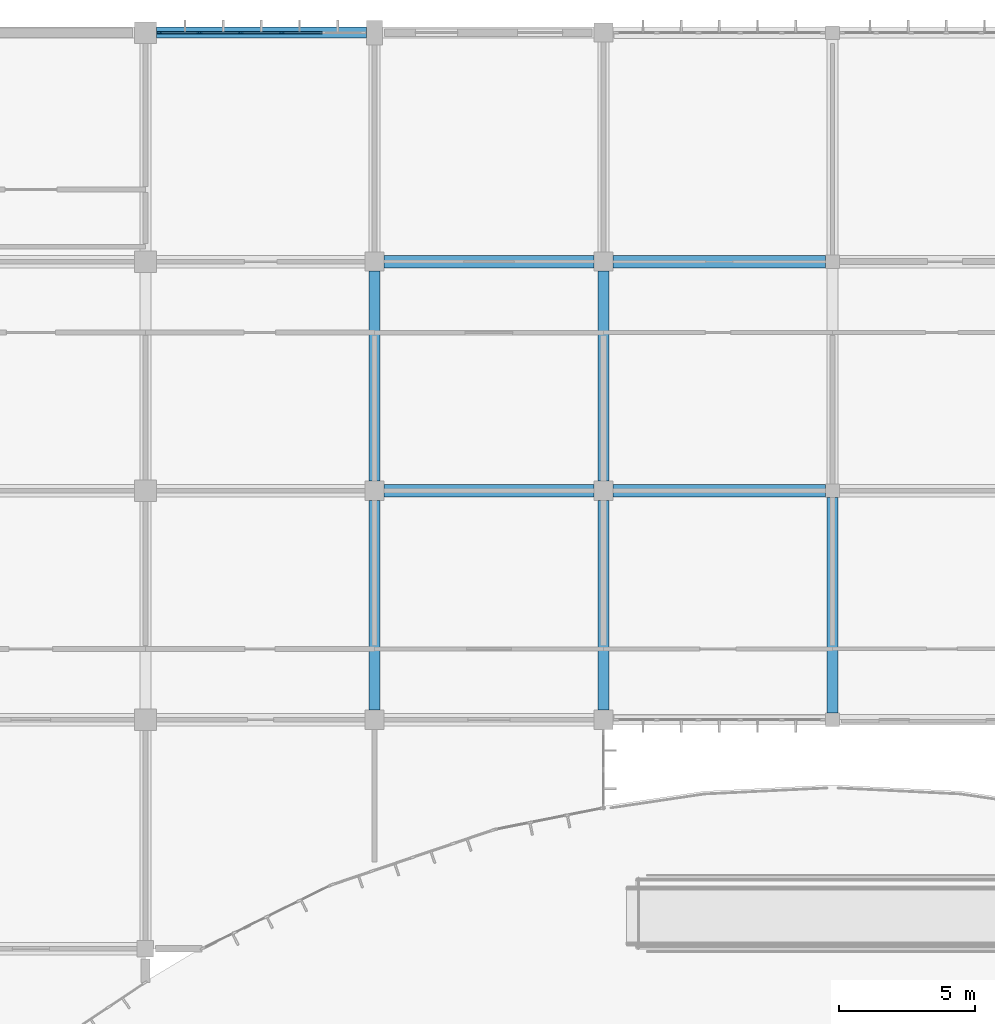
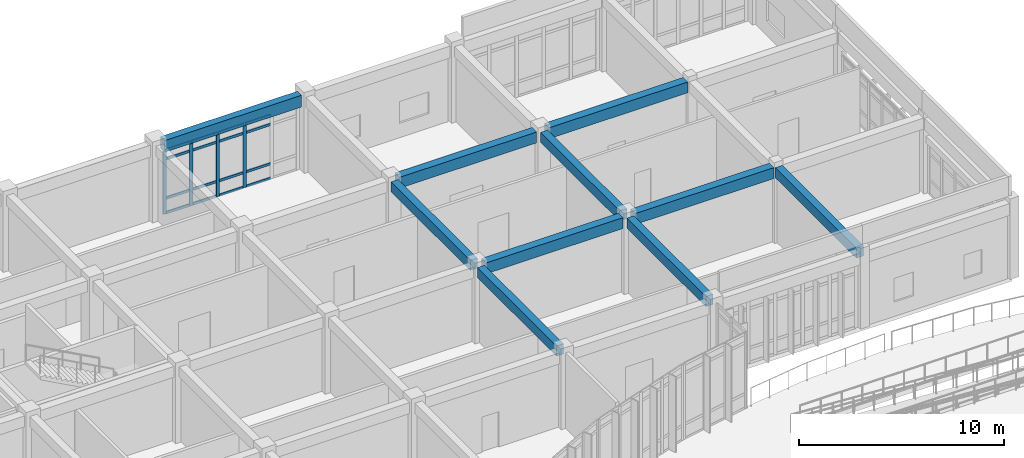
# One storey, part 59 of 138: 20 members, 10 beams, 1 element without a shape of its own.
"""IFC4 building model written with IfcOpenShell, lengths in metres."""

from ifc_helpers import new_model, si_unit, direction, frame, origin, origin_2d, place, context, subcontext, project, spatial, rectangle, extrude, material, layer, layer_set, material_profile, profile_set, type_object, element, aggregate, save


model = new_model("IFC4")

# Units and contexts
model_context = context("Model", 3, precision=1e-05, world=origin(), true_north=direction((0.0, 1.0)))
body_context = subcontext(model_context, "Body", "Model", "MODEL_VIEW")
ifc_project = project(units=[si_unit("LENGTHUNIT", "METRE"), si_unit("AREAUNIT", "SQUARE_METRE"), si_unit("VOLUMEUNIT", "CUBIC_METRE"), si_unit("PLANEANGLEUNIT", "RADIAN"), si_unit("MASSUNIT", "GRAM", prefix="KILO")], contexts=[model_context])

# Site, building, storey
site_placement = place(None, origin())
site = spatial("IfcSite", under=ifc_project, at=site_placement, CompositionType="ELEMENT")
building_placement = place(site_placement, origin())
building = spatial("IfcBuilding", under=site, at=building_placement, Name="Bramfleet General Hospital", CompositionType="ELEMENT")
storey_placement = place(building_placement, origin())
storey = spatial("IfcBuildingStorey", under=building, at=storey_placement, Name="L00", CompositionType="ELEMENT", Elevation=0.0)

# Beams
ifc_material_1 = material(Name="Concrete C35/45", Category="concrete")
ifc_material_profile_1 = material_profile(ifc_material_1, rectangle(XDim=0.39990234375, YDim=0.60009765625, at=origin_2d()), Name="RC BM 600x400")
ifc_profile_set_1 = profile_set([ifc_material_profile_1], Name="Concrete C35/45")
beam_type_1 = type_object("IfcBeamType", Name="BM-RC600", PredefinedType="BEAM", material=ifc_profile_set_1)
beam_1_placement = place(storey_placement, frame((159.60009765625, 92.75, 4.199951171875), z_axis=(0.0, 1.0, 0.0), x_axis=(-1.0, 0.0, 0.0)))
element("IfcBeam", 1, at=beam_1_placement, inside=storey, type_object=beam_type_1, Name="L00 Grid Beam Y 19-11", PredefinedType="BEAM", context=body_context, shape_type="SweptSolid", body=[
    extrude(rectangle(XDim=0.39990234375, YDim=0.60009765625, at=origin_2d()), origin(), (0.0, 0.0, 1.0), 7.699951171875),
])
beam_2_placement = place(storey_placement, frame((159.60009765625, 101.14990234375, 4.199951171875), z_axis=(0.0, 1.0, 0.0), x_axis=(-1.0, 0.0, 0.0)))
element("IfcBeam", 2, at=beam_2_placement, inside=storey, type_object=beam_type_1, Name="L00 Grid Beam Y 19-12", PredefinedType="BEAM", context=body_context, shape_type="SweptSolid", body=[
    extrude(rectangle(XDim=0.39990234375, YDim=0.60009765625, at=origin_2d()), origin(), (0.0, 0.0, 1.0), 7.7001953125),
])
beam_3_placement = place(storey_placement, frame((168.0, 92.75, 4.199951171875), z_axis=(0.0, 1.0, 0.0), x_axis=(-1.0, 0.0, 0.0)))
element("IfcBeam", 3, at=beam_3_placement, inside=storey, type_object=beam_type_1, Name="L00 Grid Beam Y 20-11", PredefinedType="BEAM", context=body_context, shape_type="SweptSolid", body=[
    extrude(rectangle(XDim=0.39990234375, YDim=0.60009765625, at=origin_2d()), origin(), (0.0, 0.0, 1.0), 7.699951171875),
])
beam_4_placement = place(storey_placement, frame((168.0, 101.14990234375, 4.199951171875), z_axis=(0.0, 1.0, 0.0), x_axis=(-1.0, 0.0, 0.0)))
element("IfcBeam", 4, at=beam_4_placement, inside=storey, type_object=beam_type_1, Name="L00 Grid Beam Y 20-12", PredefinedType="BEAM", context=body_context, shape_type="SweptSolid", body=[
    extrude(rectangle(XDim=0.39990234375, YDim=0.60009765625, at=origin_2d()), origin(), (0.0, 0.0, 1.0), 7.7001953125),
])
beam_5_placement = place(storey_placement, frame((176.39990234375, 92.64990234375, 4.199951171875), z_axis=(0.0, 1.0, 0.0), x_axis=(-1.0, 0.0, 0.0)))
element("IfcBeam", 5, at=beam_5_placement, inside=storey, type_object=beam_type_1, Name="L00 Grid Beam Y 21-11", PredefinedType="BEAM", context=body_context, shape_type="SweptSolid", body=[
    extrude(rectangle(XDim=0.39990234375, YDim=0.60009765625, at=origin_2d()), origin(), (0.0, 0.0, 1.0), 7.900146484375),
])
ifc_material_profile_2 = material_profile(ifc_material_1, rectangle(XDim=0.449951171875, YDim=0.64990234375, at=origin_2d()), Name="RC BM 650x450")
ifc_profile_set_2 = profile_set([ifc_material_profile_2], Name="Concrete C35/45")
beam_type_2 = type_object("IfcBeamType", Name="BM-RC650", PredefinedType="BEAM", material=ifc_profile_set_2)
for number, where, z_axis, x_axis, name in (
    (6, (159.949951171875, 100.800048828125, 4.175048828125), (1.0, 0.0, 0.0), (0.0, 1.0, 0.0), "L00 Grid Beam X 19-12"),
    (7, (159.949951171875, 109.199951171875, 4.175048828125), (1.0, 0.0, 0.0), (0.0, 1.0, 0.0), "L00 Grid Beam X 19-13"),
):
    element("IfcBeam", number, at=place(storey_placement, frame(where, z_axis=z_axis, x_axis=x_axis)), inside=storey, type_object=beam_type_2, Name=name, PredefinedType="BEAM", context=body_context, shape_type="SweptSolid", body=[
        extrude(rectangle(XDim=0.449951171875, YDim=0.64990234375, at=origin_2d()), origin(), (0.0, 0.0, 1.0), 7.699951171875),
    ])
for number, where, z_axis, x_axis, name in (
    (8, (168.35009765625, 100.800048828125, 4.175048828125), (1.0, 0.0, 0.0), (0.0, 1.0, 0.0), "L00 Grid Beam X 20-12"),
    (9, (168.35009765625, 109.199951171875, 4.175048828125), (1.0, 0.0, 0.0), (0.0, 1.0, 0.0), "L00 Grid Beam X 20-13"),
):
    element("IfcBeam", number, at=place(storey_placement, frame(where, z_axis=z_axis, x_axis=x_axis)), inside=storey, type_object=beam_type_2, Name=name, PredefinedType="BEAM", context=body_context, shape_type="SweptSolid", body=[
        extrude(rectangle(XDim=0.449951171875, YDim=0.64990234375, at=origin_2d()), origin(), (0.0, 0.0, 1.0), 7.7998046875),
    ])
ifc_material_profile_3 = material_profile(ifc_material_1, rectangle(XDim=0.39990234375, YDim=0.699951171875, at=origin_2d()), Name="RC SP 700x400")
ifc_profile_set_3 = profile_set([ifc_material_profile_3], Name="Concrete C35/45")
beam_type_3 = type_object("IfcBeamType", Name="BM-SP700", PredefinedType="SPANDREL", material=ifc_profile_set_3)
beam_6_placement = place(storey_placement, frame((151.60009765625, 117.60009765625, 4.14990234375), z_axis=(1.0, 0.0, 0.0), x_axis=(0.0, 1.0, 0.0)))
element("IfcBeam", 10, at=beam_6_placement, inside=storey, type_object=beam_type_3, Name="L00 Grid Beam X 18-14", PredefinedType="SPANDREL", context=body_context, shape_type="SweptSolid", body=[
    extrude(rectangle(XDim=0.39990234375, YDim=0.699951171875, at=origin_2d()), origin(), (0.0, 0.0, 1.0), 7.699951171875),
])

# Curtain wall, members
ifc_material_2 = material(Name="Anodised aluminium and low-E triple glazing", Category="aluminium")
ifc_layer = layer(ifc_material_2, 0.179931640625, Name="CWT-CW-04")
ifc_layer_set = layer_set([ifc_layer], Name="Anodised aluminium and low-E triple glazing")
curtain_wall_type = type_object("IfcCurtainWallType", Name="CWT-CW-04", PredefinedType="USERDEFINED", material=ifc_layer_set)
curtain_wall_placement = place(storey_placement, origin())
curtain_wall = element("IfcCurtainWall", 11, at=curtain_wall_placement, inside=storey, type_object=curtain_wall_type, Name="L00 Curtain Wall 4", ObjectType="Unitised curtain wall", PredefinedType="USERDEFINED")
ifc_material_3 = material(Name="Structural timber GL28h", Category="wood")
ifc_material_profile_4 = material_profile(ifc_material_3, rectangle(XDim=0.070068359375, YDim=0.18994140625, at=origin_2d()), Name="LARCH 190x70")
ifc_profile_set_4 = profile_set([ifc_material_profile_4], Name="Structural timber GL28h")
member_type_1 = type_object("IfcMemberType", Name="CWM-LARCH450", PredefinedType="MULLION", material=ifc_profile_set_4)
member_1_placement = place(storey_placement, frame((151.7099609375, 117.60009765625, 0.0), z_axis=(0.0, 0.0, 1.0), x_axis=(0.0, 1.0, 0.0)))
member_1 = element("IfcMember", 12, at=member_1_placement, type_object=member_type_1, Name="CW-04 mullion 1", PredefinedType="MULLION", context=body_context, shape_type="SweptSolid", body=[
    extrude(rectangle(XDim=0.070068359375, YDim=0.18994140625, at=origin_2d()), origin(), (0.0, 0.0, 1.0), 3.7900390625),
])
member_2_placement = place(storey_placement, frame((153.18505859375, 117.60009765625, 0.0), z_axis=(0.0, 0.0, 1.0), x_axis=(0.0, 1.0, 0.0)))
member_2 = element("IfcMember", 13, at=member_2_placement, type_object=member_type_1, Name="CW-04 mullion 2", PredefinedType="MULLION", context=body_context, shape_type="SweptSolid", body=[
    extrude(rectangle(XDim=0.070068359375, YDim=0.18994140625, at=origin_2d()), origin(), (0.0, 0.0, 1.0), 3.7900390625),
])
member_3_placement = place(storey_placement, frame((154.695068359375, 117.60009765625, 0.0), z_axis=(0.0, 0.0, 1.0), x_axis=(0.0, 1.0, 0.0)))
member_3 = element("IfcMember", 14, at=member_3_placement, type_object=member_type_1, Name="CW-04 mullion 3", PredefinedType="MULLION", context=body_context, shape_type="SweptSolid", body=[
    extrude(rectangle(XDim=0.070068359375, YDim=0.18994140625, at=origin_2d()), origin(), (0.0, 0.0, 1.0), 3.7900390625),
])
member_4_placement = place(storey_placement, frame((156.205078125, 117.60009765625, 0.0), z_axis=(0.0, 0.0, 1.0), x_axis=(0.0, 1.0, 0.0)))
member_4 = element("IfcMember", 15, at=member_4_placement, type_object=member_type_1, Name="CW-04 mullion 4", PredefinedType="MULLION", context=body_context, shape_type="SweptSolid", body=[
    extrude(rectangle(XDim=0.070068359375, YDim=0.18994140625, at=origin_2d()), origin(), (0.0, 0.0, 1.0), 3.7900390625),
])
ifc_material_profile_5 = material_profile(ifc_material_3, rectangle(XDim=0.06494140625, YDim=0.14990234375, at=origin_2d()), Name="LARCH 150x65")
ifc_profile_set_5 = profile_set([ifc_material_profile_5], Name="Structural timber GL28h")
member_type_2 = type_object("IfcMemberType", Name="CWT-LARCH220", PredefinedType="USERDEFINED", material=ifc_profile_set_5)
member_5_placement = place(storey_placement, frame((151.7451171875, 117.60009765625, 0.032470703125), z_axis=(1.0, 0.0, 0.0), x_axis=(0.0, 1.0, 0.0)))
member_5 = element("IfcMember", 16, at=member_5_placement, type_object=member_type_2, Name="CW-04 transom 1.1", ObjectType="TRANSOM", PredefinedType="USERDEFINED", context=body_context, shape_type="SweptSolid", body=[
    extrude(rectangle(XDim=0.06494140625, YDim=0.14990234375, at=origin_2d()), origin(), (0.0, 0.0, 1.0), 1.40478515625),
])
member_6_placement = place(storey_placement, frame((151.7451171875, 117.60009765625, 0.89990234375), z_axis=(1.0, 0.0, 0.0), x_axis=(0.0, 1.0, 0.0)))
member_6 = element("IfcMember", 17, at=member_6_placement, type_object=member_type_2, Name="CW-04 transom 1.2", ObjectType="TRANSOM", PredefinedType="USERDEFINED", context=body_context, shape_type="SweptSolid", body=[
    extrude(rectangle(XDim=0.06494140625, YDim=0.14990234375, at=origin_2d()), origin(), (0.0, 0.0, 1.0), 1.40478515625),
])
member_7_placement = place(storey_placement, frame((151.7451171875, 117.60009765625, 3.239990234375), z_axis=(1.0, 0.0, 0.0), x_axis=(0.0, 1.0, 0.0)))
member_7 = element("IfcMember", 18, at=member_7_placement, type_object=member_type_2, Name="CW-04 transom 1.3", ObjectType="TRANSOM", PredefinedType="USERDEFINED", context=body_context, shape_type="SweptSolid", body=[
    extrude(rectangle(XDim=0.06494140625, YDim=0.14990234375, at=origin_2d()), origin(), (0.0, 0.0, 1.0), 1.40478515625),
])
member_8_placement = place(storey_placement, frame((151.7451171875, 117.60009765625, 3.757568359375), z_axis=(1.0, 0.0, 0.0), x_axis=(0.0, 1.0, 0.0)))
member_8 = element("IfcMember", 19, at=member_8_placement, type_object=member_type_2, Name="CW-04 transom 1.4", ObjectType="TRANSOM", PredefinedType="USERDEFINED", context=body_context, shape_type="SweptSolid", body=[
    extrude(rectangle(XDim=0.06494140625, YDim=0.14990234375, at=origin_2d()), origin(), (0.0, 0.0, 1.0), 1.40478515625),
])
member_9_placement = place(storey_placement, frame((153.219970703125, 117.60009765625, 0.032470703125), z_axis=(1.0, 0.0, 0.0), x_axis=(0.0, 1.0, 0.0)))
member_9 = element("IfcMember", 20, at=member_9_placement, type_object=member_type_2, Name="CW-04 transom 2.1", ObjectType="TRANSOM", PredefinedType="USERDEFINED", context=body_context, shape_type="SweptSolid", body=[
    extrude(rectangle(XDim=0.06494140625, YDim=0.14990234375, at=origin_2d()), origin(), (0.0, 0.0, 1.0), 1.43994140625),
])
member_10_placement = place(storey_placement, frame((153.219970703125, 117.60009765625, 0.89990234375), z_axis=(1.0, 0.0, 0.0), x_axis=(0.0, 1.0, 0.0)))
member_10 = element("IfcMember", 21, at=member_10_placement, type_object=member_type_2, Name="CW-04 transom 2.2", ObjectType="TRANSOM", PredefinedType="USERDEFINED", context=body_context, shape_type="SweptSolid", body=[
    extrude(rectangle(XDim=0.06494140625, YDim=0.14990234375, at=origin_2d()), origin(), (0.0, 0.0, 1.0), 1.43994140625),
])
member_11_placement = place(storey_placement, frame((153.219970703125, 117.60009765625, 3.239990234375), z_axis=(1.0, 0.0, 0.0), x_axis=(0.0, 1.0, 0.0)))
member_11 = element("IfcMember", 22, at=member_11_placement, type_object=member_type_2, Name="CW-04 transom 2.3", ObjectType="TRANSOM", PredefinedType="USERDEFINED", context=body_context, shape_type="SweptSolid", body=[
    extrude(rectangle(XDim=0.06494140625, YDim=0.14990234375, at=origin_2d()), origin(), (0.0, 0.0, 1.0), 1.43994140625),
])
member_12_placement = place(storey_placement, frame((153.219970703125, 117.60009765625, 3.757568359375), z_axis=(1.0, 0.0, 0.0), x_axis=(0.0, 1.0, 0.0)))
member_12 = element("IfcMember", 23, at=member_12_placement, type_object=member_type_2, Name="CW-04 transom 2.4", ObjectType="TRANSOM", PredefinedType="USERDEFINED", context=body_context, shape_type="SweptSolid", body=[
    extrude(rectangle(XDim=0.06494140625, YDim=0.14990234375, at=origin_2d()), origin(), (0.0, 0.0, 1.0), 1.43994140625),
])
member_13_placement = place(storey_placement, frame((154.72998046875, 117.60009765625, 0.032470703125), z_axis=(1.0, 0.0, 0.0), x_axis=(0.0, 1.0, 0.0)))
member_13 = element("IfcMember", 24, at=member_13_placement, type_object=member_type_2, Name="CW-04 transom 3.1", ObjectType="TRANSOM", PredefinedType="USERDEFINED", context=body_context, shape_type="SweptSolid", body=[
    extrude(rectangle(XDim=0.06494140625, YDim=0.14990234375, at=origin_2d()), origin(), (0.0, 0.0, 1.0), 1.43994140625),
])
member_14_placement = place(storey_placement, frame((154.72998046875, 117.60009765625, 0.89990234375), z_axis=(1.0, 0.0, 0.0), x_axis=(0.0, 1.0, 0.0)))
member_14 = element("IfcMember", 25, at=member_14_placement, type_object=member_type_2, Name="CW-04 transom 3.2", ObjectType="TRANSOM", PredefinedType="USERDEFINED", context=body_context, shape_type="SweptSolid", body=[
    extrude(rectangle(XDim=0.06494140625, YDim=0.14990234375, at=origin_2d()), origin(), (0.0, 0.0, 1.0), 1.43994140625),
])
member_15_placement = place(storey_placement, frame((154.72998046875, 117.60009765625, 3.239990234375), z_axis=(1.0, 0.0, 0.0), x_axis=(0.0, 1.0, 0.0)))
member_15 = element("IfcMember", 26, at=member_15_placement, type_object=member_type_2, Name="CW-04 transom 3.3", ObjectType="TRANSOM", PredefinedType="USERDEFINED", context=body_context, shape_type="SweptSolid", body=[
    extrude(rectangle(XDim=0.06494140625, YDim=0.14990234375, at=origin_2d()), origin(), (0.0, 0.0, 1.0), 1.43994140625),
])
member_16_placement = place(storey_placement, frame((154.72998046875, 117.60009765625, 3.757568359375), z_axis=(1.0, 0.0, 0.0), x_axis=(0.0, 1.0, 0.0)))
member_16 = element("IfcMember", 27, at=member_16_placement, type_object=member_type_2, Name="CW-04 transom 3.4", ObjectType="TRANSOM", PredefinedType="USERDEFINED", context=body_context, shape_type="SweptSolid", body=[
    extrude(rectangle(XDim=0.06494140625, YDim=0.14990234375, at=origin_2d()), origin(), (0.0, 0.0, 1.0), 1.43994140625),
])
member_17_placement = place(storey_placement, frame((156.239990234375, 117.60009765625, 0.032470703125), z_axis=(1.0, 0.0, 0.0), x_axis=(0.0, 1.0, 0.0)))
member_17 = element("IfcMember", 28, at=member_17_placement, type_object=member_type_2, Name="CW-04 transom 4.1", ObjectType="TRANSOM", PredefinedType="USERDEFINED", context=body_context, shape_type="SweptSolid", body=[
    extrude(rectangle(XDim=0.06494140625, YDim=0.14990234375, at=origin_2d()), origin(), (0.0, 0.0, 1.0), 1.43994140625),
])
member_18_placement = place(storey_placement, frame((156.239990234375, 117.60009765625, 0.89990234375), z_axis=(1.0, 0.0, 0.0), x_axis=(0.0, 1.0, 0.0)))
member_18 = element("IfcMember", 29, at=member_18_placement, type_object=member_type_2, Name="CW-04 transom 4.2", ObjectType="TRANSOM", PredefinedType="USERDEFINED", context=body_context, shape_type="SweptSolid", body=[
    extrude(rectangle(XDim=0.06494140625, YDim=0.14990234375, at=origin_2d()), origin(), (0.0, 0.0, 1.0), 1.43994140625),
])
member_19_placement = place(storey_placement, frame((156.239990234375, 117.60009765625, 3.239990234375), z_axis=(1.0, 0.0, 0.0), x_axis=(0.0, 1.0, 0.0)))
member_19 = element("IfcMember", 30, at=member_19_placement, type_object=member_type_2, Name="CW-04 transom 4.3", ObjectType="TRANSOM", PredefinedType="USERDEFINED", context=body_context, shape_type="SweptSolid", body=[
    extrude(rectangle(XDim=0.06494140625, YDim=0.14990234375, at=origin_2d()), origin(), (0.0, 0.0, 1.0), 1.43994140625),
])
member_20_placement = place(storey_placement, frame((156.239990234375, 117.60009765625, 3.757568359375), z_axis=(1.0, 0.0, 0.0), x_axis=(0.0, 1.0, 0.0)))
member_20 = element("IfcMember", 31, at=member_20_placement, type_object=member_type_2, Name="CW-04 transom 4.4", ObjectType="TRANSOM", PredefinedType="USERDEFINED", context=body_context, shape_type="SweptSolid", body=[
    extrude(rectangle(XDim=0.06494140625, YDim=0.14990234375, at=origin_2d()), origin(), (0.0, 0.0, 1.0), 1.43994140625),
])
aggregate(curtain_wall, [member_1, member_2, member_3, member_4, member_5, member_6, member_7, member_8, member_9, member_10, member_11, member_12, member_13, member_14, member_15, member_16, member_17, member_18, member_19, member_20])

save(model, "model.ifc")
